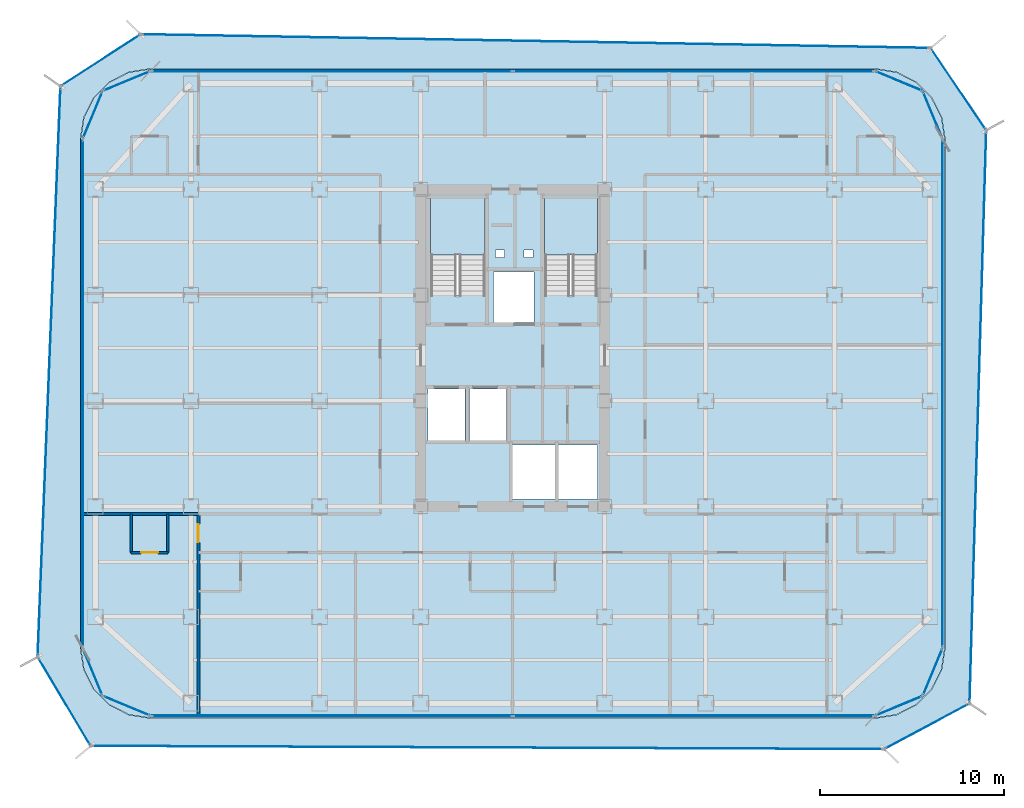
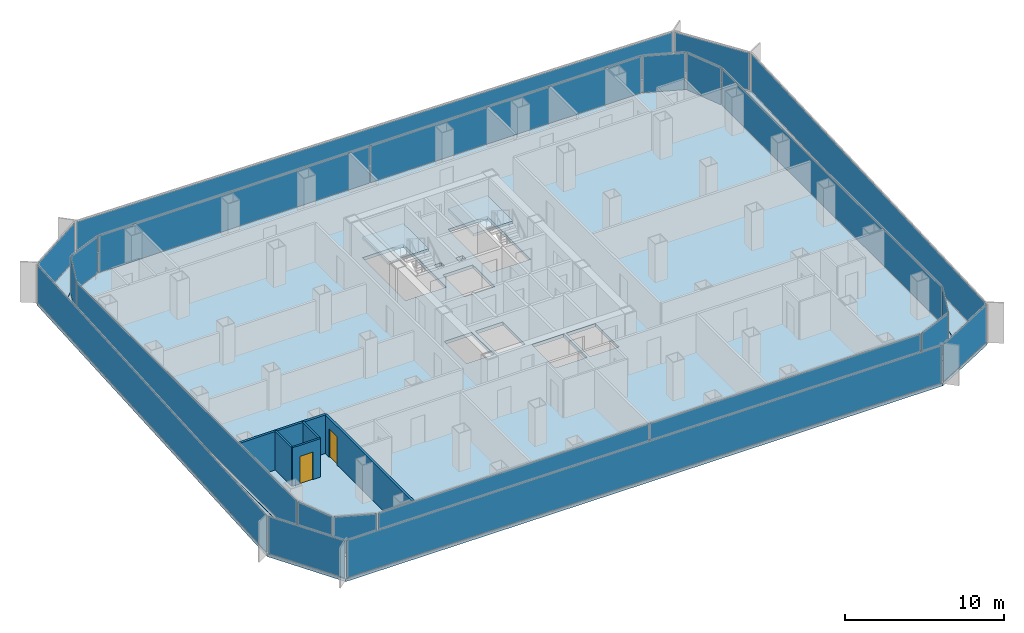
# One storey, part 15 of 21: 22 plates, 5 walls, 4 slabs, 2 doors, 2 openings, 22 elements without a shape of their own.
"""IFC4 building model written with IfcOpenShell, lengths in metres."""

from ifc_helpers import new_model, si_unit, direction, frame, frame_2d, origin, origin_2d, place, context, subcontext, project, spatial, polyline, rectangle, outline, extrude, source, transform, mapped, material, layer, layer_set, type_object, element, fill, aggregate, save


model = new_model("IFC4")

# Units and contexts
model_context = context("Model", 3, precision=1e-05, world=origin(), true_north=direction((0.0, 1.0)))
body_context = subcontext(model_context, "Body", "Model", "MODEL_VIEW")
ifc_project = project(units=[si_unit("LENGTHUNIT", "METRE"), si_unit("AREAUNIT", "SQUARE_METRE"), si_unit("VOLUMEUNIT", "CUBIC_METRE"), si_unit("PLANEANGLEUNIT", "RADIAN"), si_unit("MASSUNIT", "GRAM", prefix="KILO")], contexts=[model_context])

# Site, building, storey
site_placement = place(None, origin())
site = spatial("IfcSite", under=ifc_project, at=site_placement, CompositionType="ELEMENT")
building_placement = place(site_placement, origin())
building = spatial("IfcBuilding", under=site, at=building_placement, Name="Kolveth Station Tower", CompositionType="ELEMENT")
storey_placement = place(building_placement, frame((0.0, 0.0, 108.699951171875)))
storey = spatial("IfcBuildingStorey", under=building, at=storey_placement, Name="L29", CompositionType="ELEMENT", Elevation=108.699951171875)

# Slab
ifc_material_1 = material(Name="Concrete C40/50", Category="concrete")
ifc_layer_1 = layer(ifc_material_1, 0.25)
ifc_layer_set_1 = layer_set([ifc_layer_1], Name="Concrete C40/50")
slab_type_1 = type_object("IfcSlabType", Name="Slab_SF-250", PredefinedType="FLOOR", material=ifc_layer_set_1)
slab_1_placement = place(storey_placement, frame((0.0, 0.0, -0.25)))
element("IfcSlab", 1, at=slab_1_placement, inside=storey, type_object=slab_type_1, Name="L29 Tower Structural Floor Slab", PredefinedType="FLOOR", context=body_context, shape_type="SweptSolid", body=[
    extrude(outline(polyline([(43.199951171875, 0.0), (44.374267578125, 0.18603515625), (45.43359375, 0.7255859375), (46.2744140625, 1.56640625), (46.81396484375, 2.625732421875), (47.0, 3.800048828125), (47.0, 31.5), (46.81396484375, 32.67431640625), (46.2744140625, 33.733642578125), (45.43359375, 34.57421875), (44.374267578125, 35.114013671875), (43.199951171875, 35.300048828125), (3.800048828125, 35.300048828125), (2.625732421875, 35.114013671875), (1.56640625, 34.57421875), (0.7255859375, 33.733642578125), (0.18603515625, 32.67431640625), (0.0, 31.5), (0.0, 3.800048828125), (0.18603515625, 2.625732421875), (0.7255859375, 1.56640625), (1.56640625, 0.7255859375), (2.625732421875, 0.18603515625), (3.800048828125, 0.0), (43.199951171875, 0.0)]), holes=[polyline([(19.0400390625, 22.985107421875), (22.0, 22.985107421875), (22.0, 28.39990234375), (19.0400390625, 28.39990234375), (19.0400390625, 22.985107421875)]), polyline([(25.239990234375, 22.985107421875), (28.10009765625, 22.985107421875), (28.10009765625, 28.39990234375), (25.239990234375, 28.39990234375), (25.239990234375, 22.985107421875)]), polyline([(18.89990234375, 15.10009765625), (20.89990234375, 15.10009765625), (20.89990234375, 17.89990234375), (18.89990234375, 17.89990234375), (18.89990234375, 15.10009765625)]), polyline([(21.14990234375, 15.10009765625), (23.14990234375, 15.10009765625), (23.14990234375, 17.89990234375), (21.14990234375, 17.89990234375), (21.14990234375, 15.10009765625)]), polyline([(22.449951171875, 21.5), (24.64990234375, 21.5), (24.64990234375, 24.25), (22.449951171875, 24.25), (22.449951171875, 21.5)]), polyline([(23.5, 11.89990234375), (25.800048828125, 11.89990234375), (25.800048828125, 14.85009765625), (23.5, 14.85009765625), (23.5, 11.89990234375)]), polyline([(26.0, 11.89990234375), (28.10009765625, 11.89990234375), (28.10009765625, 14.85009765625), (26.0, 14.85009765625), (26.0, 11.89990234375)]), polyline([(22.550048828125, 25.050048828125), (23.050048828125, 25.050048828125), (23.050048828125, 25.449951171875), (22.550048828125, 25.449951171875), (22.550048828125, 25.050048828125)]), polyline([(24.10009765625, 25.050048828125), (24.60009765625, 25.050048828125), (24.60009765625, 25.449951171875), (24.10009765625, 25.449951171875), (24.10009765625, 25.050048828125)])]), origin(), (0.0, 0.0, 1.0), 0.25),
])

# Stair, slab
stair_type_1 = type_object("IfcStairType", Name="Stair_ST2", PredefinedType="HALF_TURN_STAIR", material=ifc_material_1)
stair_1_placement = place(storey_placement, origin())
stair_1 = element("IfcStair", 2, at=stair_1_placement, inside=storey, type_object=stair_type_1, Name="L29 Tower Exit Stair ST2", PredefinedType="HALF_TURN_STAIR")
ifc_layer_2 = layer(ifc_material_1, 0.18994140625)
ifc_layer_set_2 = layer_set([ifc_layer_2], Name="Concrete C40/50")
slab_type_2 = type_object("IfcSlabType", Name="Slab_SL-190", PredefinedType="LANDING", material=ifc_layer_set_2)
slab_2_placement = place(storey_placement, frame((0.0, 0.0, 1.400146484375)))
slab_2 = element("IfcSlab", 3, at=slab_2_placement, type_object=slab_type_2, Name="ST2 landing 1", PredefinedType="LANDING", context=body_context, shape_type="SweptSolid", body=[
    extrude(outline(polyline([(28.10009765625, 25.18994140625), (28.10009765625, 28.39990234375), (25.239990234375, 28.39990234375), (25.239990234375, 25.18994140625), (28.10009765625, 25.18994140625)])), origin(), (0.0, 0.0, 1.0), 0.199951171875),
])
aggregate(stair_1, [slab_2])

stair_type_2 = type_object("IfcStairType", Name="Stair_ST1", PredefinedType="HALF_TURN_STAIR", material=ifc_material_1)
stair_2_placement = place(storey_placement, origin())
stair_2 = element("IfcStair", 4, at=stair_2_placement, inside=storey, type_object=stair_type_2, Name="L29 Tower Exit Stair ST1", PredefinedType="HALF_TURN_STAIR")
ifc_layer_3 = layer(ifc_material_1, 0.205078125)
ifc_layer_set_3 = layer_set([ifc_layer_3], Name="Concrete C40/50")
slab_type_3 = type_object("IfcSlabType", Name="Slab_SL-205", PredefinedType="LANDING", material=ifc_layer_set_3)
slab_3_placement = place(storey_placement, frame((0.0, 0.0, 1.400146484375)))
slab_3 = element("IfcSlab", 5, at=slab_3_placement, type_object=slab_type_3, Name="ST1 landing 1", PredefinedType="LANDING", context=body_context, shape_type="SweptSolid", body=[
    extrude(outline(polyline([(22.0, 25.18994140625), (22.0, 28.39990234375), (19.0400390625, 28.39990234375), (19.0400390625, 25.18994140625), (22.0, 25.18994140625)])), origin(), (0.0, 0.0, 1.0), 0.199951171875),
])
aggregate(stair_2, [slab_3])

# Slab
ifc_layer_4 = layer(ifc_material_1, 0.2099609375)
ifc_layer_set_4 = layer_set([ifc_layer_4], Name="Concrete C40/50")
slab_type_4 = type_object("IfcSlabType", Name="Slab_ST-210", PredefinedType="FLOOR", material=ifc_layer_set_4)
slab_4_placement = place(storey_placement, frame((0.0, 0.0, -0.2099609375)))
element("IfcSlab", 6, at=slab_4_placement, inside=storey, type_object=slab_type_4, Name="L29 Double-Skin Cavity Structural Ledger Ring", PredefinedType="FLOOR", context=body_context, shape_type="SweptSolid", body=[
    extrude(outline(polyline([(0.550537109375, -1.518310546875), (-2.335205078125, 3.326171875), (-1.0908203125, 34.36181640625), (3.269287109375, 37.183837890625), (46.23291015625, 36.43896484375), (49.2578125, 31.964111328125), (48.348388671875, 0.789794921875), (43.70751953125, -1.695556640625), (0.550537109375, -1.518310546875)]), holes=[polyline([(43.202392578125, -0.014892578125), (44.376708984375, 0.171142578125), (44.381103515625, 0.172607421875), (45.4404296875, 0.71240234375), (45.444091796875, 0.715087890625), (46.284912109375, 1.555908203125), (46.28759765625, 1.5595703125), (46.827392578125, 2.618896484375), (46.828857421875, 2.623291015625), (47.014892578125, 3.797607421875), (47.014892578125, 3.800048828125), (47.014892578125, 31.5), (47.014892578125, 31.502197265625), (46.828857421875, 32.676513671875), (46.827392578125, 32.68115234375), (46.28759765625, 33.740478515625), (46.284912109375, 33.744140625), (45.444091796875, 34.5849609375), (45.4404296875, 34.587646484375), (44.381103515625, 35.12744140625), (44.376708984375, 35.12890625), (43.202392578125, 35.314697265625), (43.199951171875, 35.31494140625), (3.800048828125, 35.31494140625), (3.797607421875, 35.314697265625), (2.623291015625, 35.12890625), (2.618896484375, 35.12744140625), (1.5595703125, 34.587646484375), (1.555908203125, 34.5849609375), (0.715087890625, 33.744140625), (0.71240234375, 33.740478515625), (0.172607421875, 32.68115234375), (0.171142578125, 32.676513671875), (-0.014892578125, 31.502197265625), (-0.014892578125, 31.5), (-0.014892578125, 3.800048828125), (-0.014892578125, 3.797607421875), (0.171142578125, 2.623291015625), (0.172607421875, 2.618896484375), (0.71240234375, 1.5595703125), (0.715087890625, 1.555908203125), (1.555908203125, 0.715087890625), (1.5595703125, 0.71240234375), (2.618896484375, 0.172607421875), (2.623291015625, 0.171142578125), (3.797607421875, -0.014892578125), (3.800048828125, -0.014892578125), (43.199951171875, -0.014892578125), (43.202392578125, -0.014892578125)])]), origin(), (0.0, 0.0, 1.0), 0.2099609375),
])

# Curtain wall, plate
ifc_material_2 = material(Name="Aluminium 6063-T6 and low-E dark glass", Category="aluminium")
ifc_layer_5 = layer(ifc_material_2, 0.18994140625)
ifc_layer_set_5 = layer_set([ifc_layer_5], Name="Aluminium 6063-T6 and low-E dark glass")
curtain_wall_type_1 = type_object("IfcCurtainWallType", Name="CurtainWall_CW-Z2", PredefinedType="NOTDEFINED", material=ifc_layer_set_5)
curtain_wall_1_placement = place(storey_placement, origin())
curtain_wall_1 = element("IfcCurtainWall", 7, at=curtain_wall_1_placement, inside=storey, type_object=curtain_wall_type_1, Name="L29 Inner Thermal Curtain Wall 1", PredefinedType="NOTDEFINED")
ifc_material_3 = material(Name="Architectural low-E dark glass", Category="glass")
ifc_layer_6 = layer(ifc_material_3, 0.0380859375)
ifc_layer_set_6 = layer_set([ifc_layer_6], Name="Architectural low-E dark glass")
plate_type_1 = type_object("IfcPlateType", Name="Panel_GL2", PredefinedType="CURTAIN_PANEL", material=ifc_layer_set_6)
shared_shape_1 = source(origin(), body_context, "Body", "SweptSolid", [
    extrude(rectangle(XDim=2.670654296875, YDim=0.0380859375, at=origin_2d()), origin(), (0.0, 0.0, 1.0), 2.803955078125),
])
plate_1_placement = place(storey_placement, frame((44.501220703125, 0.658935546875, 0.0732421875), z_axis=(0.0, 0.0, 1.0), x_axis=(0.923887883787, 0.38266326998, 0.0)))
plate_1 = element("IfcPlate", 8, at=plate_1_placement, type_object=plate_type_1, Name="CW-Z2 panel 1.1", PredefinedType="CURTAIN_PANEL", context=body_context, shape_type="MappedRepresentation", body=[
    mapped(shared_shape_1, transform((0.0, 0.0, 0.0), x_axis=(1.0, 0.0, 0.0), y_axis=(0.0, 1.0, 0.0), z_axis=(0.0, 0.0, 1.0), scale=1.0)),
])
aggregate(curtain_wall_1, [plate_1])

curtain_wall_2_placement = place(storey_placement, origin())
curtain_wall_2 = element("IfcCurtainWall", 9, at=curtain_wall_2_placement, inside=storey, type_object=curtain_wall_type_1, Name="L29 Inner Thermal Curtain Wall 2", PredefinedType="NOTDEFINED")
plate_2_placement = place(storey_placement, frame((46.341064453125, 2.498779296875, 0.0732421875), z_axis=(0.0, 0.0, 1.0), x_axis=(0.38266326998, 0.923887883787, 0.0)))
plate_2 = element("IfcPlate", 10, at=plate_2_placement, type_object=plate_type_1, Name="CW-Z2 panel 1.1", PredefinedType="CURTAIN_PANEL", context=body_context, shape_type="MappedRepresentation", body=[
    mapped(shared_shape_1, transform((0.0, 0.0, 0.0), x_axis=(1.0, 0.0, 0.0), y_axis=(0.0, 1.0, 0.0), z_axis=(0.0, 0.0, 1.0), scale=1.0)),
])
aggregate(curtain_wall_2, [plate_2])

curtain_wall_3_placement = place(storey_placement, origin())
curtain_wall_3 = element("IfcCurtainWall", 11, at=curtain_wall_3_placement, inside=storey, type_object=curtain_wall_type_1, Name="L29 Inner Thermal Curtain Wall 4", PredefinedType="NOTDEFINED")
plate_3_placement = place(storey_placement, frame((46.341064453125, 32.801025390625, 0.0732421875), z_axis=(0.0, 0.0, 1.0), x_axis=(-0.38266326998, 0.923887883787, 0.0)))
plate_3 = element("IfcPlate", 12, at=plate_3_placement, type_object=plate_type_1, Name="CW-Z2 panel 1.1", PredefinedType="CURTAIN_PANEL", context=body_context, shape_type="MappedRepresentation", body=[
    mapped(shared_shape_1, transform((0.0, 0.0, 0.0), x_axis=(1.0, 0.0, 0.0), y_axis=(0.0, 1.0, 0.0), z_axis=(0.0, 0.0, 1.0), scale=1.0)),
])
aggregate(curtain_wall_3, [plate_3])

curtain_wall_4_placement = place(storey_placement, origin())
curtain_wall_4 = element("IfcCurtainWall", 13, at=curtain_wall_4_placement, inside=storey, type_object=curtain_wall_type_1, Name="L29 Inner Thermal Curtain Wall 5", PredefinedType="NOTDEFINED")
plate_4_placement = place(storey_placement, frame((44.501220703125, 34.64111328125, 0.0732421875), z_axis=(0.0, 0.0, 1.0), x_axis=(-0.923887883787, 0.38266326998, 0.0)))
plate_4 = element("IfcPlate", 14, at=plate_4_placement, type_object=plate_type_1, Name="CW-Z2 panel 1.1", PredefinedType="CURTAIN_PANEL", context=body_context, shape_type="MappedRepresentation", body=[
    mapped(shared_shape_1, transform((0.0, 0.0, 0.0), x_axis=(1.0, 0.0, 0.0), y_axis=(0.0, 1.0, 0.0), z_axis=(0.0, 0.0, 1.0), scale=1.0)),
])
aggregate(curtain_wall_4, [plate_4])

curtain_wall_5_placement = place(storey_placement, origin())
curtain_wall_5 = element("IfcCurtainWall", 15, at=curtain_wall_5_placement, inside=storey, type_object=curtain_wall_type_1, Name="L29 Inner Thermal Curtain Wall 7", PredefinedType="NOTDEFINED")
plate_5_placement = place(storey_placement, frame((2.498779296875, 34.64111328125, 0.0732421875), z_axis=(0.0, 0.0, 1.0), x_axis=(-0.923887883787, -0.38266326998, 0.0)))
plate_5 = element("IfcPlate", 16, at=plate_5_placement, type_object=plate_type_1, Name="CW-Z2 panel 1.1", PredefinedType="CURTAIN_PANEL", context=body_context, shape_type="MappedRepresentation", body=[
    mapped(shared_shape_1, transform((0.0, 0.0, 0.0), x_axis=(1.0, 0.0, 0.0), y_axis=(0.0, 1.0, 0.0), z_axis=(0.0, 0.0, 1.0), scale=1.0)),
])
aggregate(curtain_wall_5, [plate_5])

curtain_wall_6_placement = place(storey_placement, origin())
curtain_wall_6 = element("IfcCurtainWall", 17, at=curtain_wall_6_placement, inside=storey, type_object=curtain_wall_type_1, Name="L29 Inner Thermal Curtain Wall 8", PredefinedType="NOTDEFINED")
plate_6_placement = place(storey_placement, frame((0.658935546875, 32.801025390625, 0.0732421875), z_axis=(0.0, 0.0, 1.0), x_axis=(-0.38266326998, -0.923887883787, 0.0)))
plate_6 = element("IfcPlate", 18, at=plate_6_placement, type_object=plate_type_1, Name="CW-Z2 panel 1.1", PredefinedType="CURTAIN_PANEL", context=body_context, shape_type="MappedRepresentation", body=[
    mapped(shared_shape_1, transform((0.0, 0.0, 0.0), x_axis=(1.0, 0.0, 0.0), y_axis=(0.0, 1.0, 0.0), z_axis=(0.0, 0.0, 1.0), scale=1.0)),
])
aggregate(curtain_wall_6, [plate_6])

curtain_wall_7_placement = place(storey_placement, origin())
curtain_wall_7 = element("IfcCurtainWall", 19, at=curtain_wall_7_placement, inside=storey, type_object=curtain_wall_type_1, Name="L29 Inner Thermal Curtain Wall 10", PredefinedType="NOTDEFINED")
plate_7_placement = place(storey_placement, frame((0.658935546875, 2.498779296875, 0.0732421875), z_axis=(0.0, 0.0, 1.0), x_axis=(0.38266326998, -0.923887883787, 0.0)))
plate_7 = element("IfcPlate", 20, at=plate_7_placement, type_object=plate_type_1, Name="CW-Z2 panel 1.1", PredefinedType="CURTAIN_PANEL", context=body_context, shape_type="MappedRepresentation", body=[
    mapped(shared_shape_1, transform((0.0, 0.0, 0.0), x_axis=(1.0, 0.0, 0.0), y_axis=(0.0, 1.0, 0.0), z_axis=(0.0, 0.0, 1.0), scale=1.0)),
])
aggregate(curtain_wall_7, [plate_7])

curtain_wall_8_placement = place(storey_placement, origin())
curtain_wall_8 = element("IfcCurtainWall", 21, at=curtain_wall_8_placement, inside=storey, type_object=curtain_wall_type_1, Name="L29 Inner Thermal Curtain Wall 11", PredefinedType="NOTDEFINED")
plate_8_placement = place(storey_placement, frame((2.498779296875, 0.658935546875, 0.0732421875), z_axis=(0.0, 0.0, 1.0), x_axis=(0.923887883787, -0.38266326998, 0.0)))
plate_8 = element("IfcPlate", 22, at=plate_8_placement, type_object=plate_type_1, Name="CW-Z2 panel 1.1", PredefinedType="CURTAIN_PANEL", context=body_context, shape_type="MappedRepresentation", body=[
    mapped(shared_shape_1, transform((0.0, 0.0, 0.0), x_axis=(1.0, 0.0, 0.0), y_axis=(0.0, 1.0, 0.0), z_axis=(0.0, 0.0, 1.0), scale=1.0)),
])
aggregate(curtain_wall_8, [plate_8])

curtain_wall_9_placement = place(storey_placement, origin())
curtain_wall_9 = element("IfcCurtainWall", 23, at=curtain_wall_9_placement, inside=storey, type_object=curtain_wall_type_1, Name="L29 Inner Thermal Curtain Wall 3", PredefinedType="NOTDEFINED")
shared_shape_2 = source(origin(), body_context, "Body", "SweptSolid", [
    extrude(rectangle(XDim=27.553955078125, YDim=0.0380859375, at=origin_2d()), origin(), (0.0, 0.0, 1.0), 2.803955078125),
])
plate_9_placement = place(storey_placement, frame((46.8798828125, 17.64990234375, 0.0732421875), z_axis=(0.0, 0.0, 1.0), x_axis=(0.0, 1.0, 0.0)))
plate_9 = element("IfcPlate", 24, at=plate_9_placement, type_object=plate_type_1, Name="CW-Z2 panel 1.1", PredefinedType="CURTAIN_PANEL", context=body_context, shape_type="MappedRepresentation", body=[
    mapped(shared_shape_2, transform((0.0, 0.0, 0.0), x_axis=(1.0, 0.0, 0.0), y_axis=(0.0, 1.0, 0.0), z_axis=(0.0, 0.0, 1.0), scale=1.0)),
])
aggregate(curtain_wall_9, [plate_9])

curtain_wall_10_placement = place(storey_placement, origin())
curtain_wall_10 = element("IfcCurtainWall", 25, at=curtain_wall_10_placement, inside=storey, type_object=curtain_wall_type_1, Name="L29 Inner Thermal Curtain Wall 9", PredefinedType="NOTDEFINED")
plate_10_placement = place(storey_placement, frame((0.1201171875, 17.64990234375, 0.0732421875), z_axis=(0.0, 0.0, 1.0), x_axis=(0.0, -1.0, 0.0)))
plate_10 = element("IfcPlate", 26, at=plate_10_placement, type_object=plate_type_1, Name="CW-Z2 panel 1.1", PredefinedType="CURTAIN_PANEL", context=body_context, shape_type="MappedRepresentation", body=[
    mapped(shared_shape_2, transform((0.0, 0.0, 0.0), x_axis=(1.0, 0.0, 0.0), y_axis=(0.0, 1.0, 0.0), z_axis=(0.0, 0.0, 1.0), scale=1.0)),
])
aggregate(curtain_wall_10, [plate_10])

# Curtain wall, plates
curtain_wall_11_placement = place(storey_placement, origin())
curtain_wall_11 = element("IfcCurtainWall", 27, at=curtain_wall_11_placement, inside=storey, type_object=curtain_wall_type_1, Name="L29 Inner Thermal Curtain Wall 6", PredefinedType="NOTDEFINED")
shared_shape_3 = source(origin(), body_context, "Body", "SweptSolid", [
    extrude(rectangle(XDim=19.593994140625, YDim=0.0380859375, at=origin_2d()), origin(), (0.0, 0.0, 1.0), 2.803955078125),
])
plate_11_placement = place(storey_placement, frame((33.330078125, 35.179931640625, 0.0732421875), z_axis=(0.0, 0.0, 1.0), x_axis=(-1.0, 0.0, 0.0)))
plate_11 = element("IfcPlate", 28, at=plate_11_placement, type_object=plate_type_1, Name="CW-Z2 panel 1.1", PredefinedType="CURTAIN_PANEL", context=body_context, shape_type="MappedRepresentation", body=[
    mapped(shared_shape_3, transform((0.0, 0.0, 0.0), x_axis=(1.0, 0.0, 0.0), y_axis=(0.0, 1.0, 0.0), z_axis=(0.0, 0.0, 1.0), scale=1.0)),
])
plate_12_placement = place(storey_placement, frame((13.669921875, 35.179931640625, 0.0732421875), z_axis=(0.0, 0.0, 1.0), x_axis=(-1.0, 0.0, 0.0)))
plate_12 = element("IfcPlate", 29, at=plate_12_placement, type_object=plate_type_1, Name="CW-Z2 panel 2.1", PredefinedType="CURTAIN_PANEL", context=body_context, shape_type="MappedRepresentation", body=[
    mapped(shared_shape_3, transform((0.0, 0.0, 0.0), x_axis=(1.0, 0.0, 0.0), y_axis=(0.0, 1.0, 0.0), z_axis=(0.0, 0.0, 1.0), scale=1.0)),
])
aggregate(curtain_wall_11, [plate_11, plate_12])

curtain_wall_12_placement = place(storey_placement, origin())
curtain_wall_12 = element("IfcCurtainWall", 30, at=curtain_wall_12_placement, inside=storey, type_object=curtain_wall_type_1, Name="L29 Inner Thermal Curtain Wall 12", PredefinedType="NOTDEFINED")
plate_13_placement = place(storey_placement, frame((13.669921875, 0.1201171875, 0.0732421875), z_axis=(0.0, 0.0, 1.0), x_axis=(1.0, 0.0, 0.0)))
plate_13 = element("IfcPlate", 31, at=plate_13_placement, type_object=plate_type_1, Name="CW-Z2 panel 1.1", PredefinedType="CURTAIN_PANEL", context=body_context, shape_type="MappedRepresentation", body=[
    mapped(shared_shape_3, transform((0.0, 0.0, 0.0), x_axis=(1.0, 0.0, 0.0), y_axis=(0.0, 1.0, 0.0), z_axis=(0.0, 0.0, 1.0), scale=1.0)),
])
plate_14_placement = place(storey_placement, frame((33.330078125, 0.1201171875, 0.0732421875), z_axis=(0.0, 0.0, 1.0), x_axis=(1.0, 0.0, 0.0)))
plate_14 = element("IfcPlate", 32, at=plate_14_placement, type_object=plate_type_1, Name="CW-Z2 panel 2.1", PredefinedType="CURTAIN_PANEL", context=body_context, shape_type="MappedRepresentation", body=[
    mapped(shared_shape_3, transform((0.0, 0.0, 0.0), x_axis=(1.0, 0.0, 0.0), y_axis=(0.0, 1.0, 0.0), z_axis=(0.0, 0.0, 1.0), scale=1.0)),
])
aggregate(curtain_wall_12, [plate_13, plate_14])

# Curtain wall, plate
ifc_material_4 = material(Name="Black anodized aluminium 6063-T6 and dark solar glass", Category="aluminium")
ifc_layer_7 = layer(ifc_material_4, 0.159912109375)
ifc_layer_set_7 = layer_set([ifc_layer_7], Name="Black anodized aluminium 6063-T6 and dark solar glass")
curtain_wall_type_2 = type_object("IfcCurtainWallType", Name="OUTER SKIN CW-OS", PredefinedType="NOTDEFINED", material=ifc_layer_set_7)
curtain_wall_13_placement = place(storey_placement, origin())
curtain_wall_13 = element("IfcCurtainWall", 33, at=curtain_wall_13_placement, inside=storey, type_object=curtain_wall_type_2, Name="L29 Outer Ventilated Skin Curtain Wall 1", PredefinedType="NOTDEFINED")
ifc_layer_8 = layer(ifc_material_3, 0.028076171875)
ifc_layer_set_8 = layer_set([ifc_layer_8], Name="Architectural low-E dark glass")
plate_type_2 = type_object("IfcPlateType", Name="Panel_GL-OS", PredefinedType="CURTAIN_PANEL", material=ifc_layer_set_8)
shared_shape_4 = source(origin(), body_context, "Body", "SweptSolid", [
    extrude(rectangle(XDim=5.0986328125, YDim=0.028076171875, at=origin_2d()), origin(), (0.0, 0.0, 1.0), 2.843994140625),
])
plate_15_placement = place(storey_placement, frame((46.02783203125, -0.452880859375, 0.0732421875), z_axis=(0.0, 0.0, 1.0), x_axis=(0.881535028581, 0.472118622155, 0.0)))
plate_15 = element("IfcPlate", 34, at=plate_15_placement, type_object=plate_type_2, Name="CW-OS panel 1.1", PredefinedType="CURTAIN_PANEL", context=body_context, shape_type="MappedRepresentation", body=[
    mapped(shared_shape_4, transform((0.0, 0.0, 0.0), x_axis=(1.0, 0.0, 0.0), y_axis=(0.0, 1.0, 0.0), z_axis=(0.0, 0.0, 1.0), scale=1.0)),
])
aggregate(curtain_wall_13, [plate_15])

curtain_wall_14_placement = place(storey_placement, origin())
curtain_wall_14 = element("IfcCurtainWall", 35, at=curtain_wall_14_placement, inside=storey, type_object=curtain_wall_type_2, Name="L29 Outer Ventilated Skin Curtain Wall 2", PredefinedType="NOTDEFINED")
shared_shape_5 = source(origin(), body_context, "Body", "SweptSolid", [
    extrude(rectangle(XDim=31.021484375, YDim=0.028076171875, at=origin_2d()), origin(), (0.0, 0.0, 1.0), 2.843994140625),
])
plate_16_placement = place(storey_placement, frame((48.802978515625, 16.376953125, 0.0732421875), z_axis=(0.0, 0.0, 1.0), x_axis=(0.029159154238, 0.999574781457, 0.0)))
plate_16 = element("IfcPlate", 36, at=plate_16_placement, type_object=plate_type_2, Name="CW-OS panel 1.1", PredefinedType="CURTAIN_PANEL", context=body_context, shape_type="MappedRepresentation", body=[
    mapped(shared_shape_5, transform((0.0, 0.0, 0.0), x_axis=(1.0, 0.0, 0.0), y_axis=(0.0, 1.0, 0.0), z_axis=(0.0, 0.0, 1.0), scale=1.0)),
])
aggregate(curtain_wall_14, [plate_16])

curtain_wall_15_placement = place(storey_placement, origin())
curtain_wall_15 = element("IfcCurtainWall", 37, at=curtain_wall_15_placement, inside=storey, type_object=curtain_wall_type_2, Name="L29 Outer Ventilated Skin Curtain Wall 3", PredefinedType="NOTDEFINED")
shared_shape_6 = source(origin(), body_context, "Body", "SweptSolid", [
    extrude(rectangle(XDim=5.2353515625, YDim=0.028076171875, at=origin_2d()), origin(), (0.0, 0.0, 1.0), 2.843994140625),
])
plate_17_placement = place(storey_placement, frame((47.745361328125, 34.201416015625, 0.0732421875), z_axis=(0.0, 0.0, 1.0), x_axis=(-0.560033635583, 0.828469870916, 0.0)))
plate_17 = element("IfcPlate", 38, at=plate_17_placement, type_object=plate_type_2, Name="CW-OS panel 1.1", PredefinedType="CURTAIN_PANEL", context=body_context, shape_type="MappedRepresentation", body=[
    mapped(shared_shape_6, transform((0.0, 0.0, 0.0), x_axis=(1.0, 0.0, 0.0), y_axis=(0.0, 1.0, 0.0), z_axis=(0.0, 0.0, 1.0), scale=1.0)),
])
aggregate(curtain_wall_15, [plate_17])

curtain_wall_16_placement = place(storey_placement, origin())
curtain_wall_16 = element("IfcCurtainWall", 39, at=curtain_wall_16_placement, inside=storey, type_object=curtain_wall_type_2, Name="L29 Outer Ventilated Skin Curtain Wall 4", PredefinedType="NOTDEFINED")
shared_shape_7 = source(origin(), body_context, "Body", "SweptSolid", [
    extrude(rectangle(XDim=42.803955078125, YDim=0.028076171875, at=origin_2d()), origin(), (0.0, 0.0, 1.0), 2.843994140625),
])
plate_18_placement = place(storey_placement, frame((24.751220703125, 36.811279296875, 0.0732421875), z_axis=(0.0, 0.0, 1.0), x_axis=(-0.999849690186, 0.017337734418, 0.0)))
plate_18 = element("IfcPlate", 40, at=plate_18_placement, type_object=plate_type_2, Name="CW-OS panel 1.1", PredefinedType="CURTAIN_PANEL", context=body_context, shape_type="MappedRepresentation", body=[
    mapped(shared_shape_7, transform((0.0, 0.0, 0.0), x_axis=(1.0, 0.0, 0.0), y_axis=(0.0, 1.0, 0.0), z_axis=(0.0, 0.0, 1.0), scale=1.0)),
])
aggregate(curtain_wall_16, [plate_18])

curtain_wall_17_placement = place(storey_placement, origin())
curtain_wall_17 = element("IfcCurtainWall", 41, at=curtain_wall_17_placement, inside=storey, type_object=curtain_wall_type_2, Name="L29 Outer Ventilated Skin Curtain Wall 5", PredefinedType="NOTDEFINED")
shared_shape_8 = source(origin(), body_context, "Body", "SweptSolid", [
    extrude(rectangle(XDim=5.02783203125, YDim=0.028076171875, at=origin_2d()), origin(), (0.0, 0.0, 1.0), 2.843994140625),
])
plate_19_placement = place(storey_placement, frame((1.08935546875, 35.772705078125, 0.0732421875), z_axis=(0.0, 0.0, 1.0), x_axis=(-0.839491631622, -0.543372616569, 0.0)))
plate_19 = element("IfcPlate", 42, at=plate_19_placement, type_object=plate_type_2, Name="CW-OS panel 1.1", PredefinedType="CURTAIN_PANEL", context=body_context, shape_type="MappedRepresentation", body=[
    mapped(shared_shape_8, transform((0.0, 0.0, 0.0), x_axis=(1.0, 0.0, 0.0), y_axis=(0.0, 1.0, 0.0), z_axis=(0.0, 0.0, 1.0), scale=1.0)),
])
aggregate(curtain_wall_17, [plate_19])

curtain_wall_18_placement = place(storey_placement, origin())
curtain_wall_18 = element("IfcCurtainWall", 43, at=curtain_wall_18_placement, inside=storey, type_object=curtain_wall_type_2, Name="L29 Outer Ventilated Skin Curtain Wall 6", PredefinedType="NOTDEFINED")
shared_shape_9 = source(origin(), body_context, "Body", "SweptSolid", [
    extrude(rectangle(XDim=30.894287109375, YDim=0.028076171875, at=origin_2d()), origin(), (0.0, 0.0, 1.0), 2.843994140625),
])
plate_20_placement = place(storey_placement, frame((-1.713134765625, 18.843994140625, 0.0732421875), z_axis=(0.0, 0.0, 1.0), x_axis=(-0.040067041242, -0.999196993693, 0.0)))
plate_20 = element("IfcPlate", 44, at=plate_20_placement, type_object=plate_type_2, Name="CW-OS panel 1.1", PredefinedType="CURTAIN_PANEL", context=body_context, shape_type="MappedRepresentation", body=[
    mapped(shared_shape_9, transform((0.0, 0.0, 0.0), x_axis=(1.0, 0.0, 0.0), y_axis=(0.0, 1.0, 0.0), z_axis=(0.0, 0.0, 1.0), scale=1.0)),
])
aggregate(curtain_wall_18, [plate_20])

curtain_wall_19_placement = place(storey_placement, origin())
curtain_wall_19 = element("IfcCurtainWall", 45, at=curtain_wall_19_placement, inside=storey, type_object=curtain_wall_type_2, Name="L29 Outer Ventilated Skin Curtain Wall 7", PredefinedType="NOTDEFINED")
shared_shape_10 = source(origin(), body_context, "Body", "SweptSolid", [
    extrude(rectangle(XDim=5.472900390625, YDim=0.028076171875, at=origin_2d()), origin(), (0.0, 0.0, 1.0), 2.843994140625),
])
plate_21_placement = place(storey_placement, frame((-0.892333984375, 0.90380859375, 0.0732421875), z_axis=(0.0, 0.0, 1.0), x_axis=(0.511773150032, -0.85912062186, 0.0)))
plate_21 = element("IfcPlate", 46, at=plate_21_placement, type_object=plate_type_2, Name="CW-OS panel 1.1", PredefinedType="CURTAIN_PANEL", context=body_context, shape_type="MappedRepresentation", body=[
    mapped(shared_shape_10, transform((0.0, 0.0, 0.0), x_axis=(1.0, 0.0, 0.0), y_axis=(0.0, 1.0, 0.0), z_axis=(0.0, 0.0, 1.0), scale=1.0)),
])
aggregate(curtain_wall_19, [plate_21])

curtain_wall_20_placement = place(storey_placement, origin())
curtain_wall_20 = element("IfcCurtainWall", 47, at=curtain_wall_20_placement, inside=storey, type_object=curtain_wall_type_2, Name="L29 Outer Ventilated Skin Curtain Wall 8", PredefinedType="NOTDEFINED")
shared_shape_11 = source(origin(), body_context, "Body", "SweptSolid", [
    extrude(rectangle(XDim=42.9912109375, YDim=0.028076171875, at=origin_2d()), origin(), (0.0, 0.0, 1.0), 2.843994140625),
])
plate_22_placement = place(storey_placement, frame((22.12890625, -1.60693359375, 0.0732421875), z_axis=(0.0, 0.0, 1.0), x_axis=(0.999991570662, -0.004105923193, 0.0)))
plate_22 = element("IfcPlate", 48, at=plate_22_placement, type_object=plate_type_2, Name="CW-OS panel 1.1", PredefinedType="CURTAIN_PANEL", context=body_context, shape_type="MappedRepresentation", body=[
    mapped(shared_shape_11, transform((0.0, 0.0, 0.0), x_axis=(1.0, 0.0, 0.0), y_axis=(0.0, 1.0, 0.0), z_axis=(0.0, 0.0, 1.0), scale=1.0)),
])
aggregate(curtain_wall_20, [plate_22])

# Walls
ifc_material_5 = material(Name="Moisture-resistant gypsum partition")
ifc_layer_9 = layer(ifc_material_5, 0.135009765625)
ifc_layer_set_9 = layer_set([ifc_layer_9], Name="Moisture-resistant gypsum partition")
wall_type_1 = type_object("IfcWallType", Name="Wall_IW-135", PredefinedType="PARTITIONING", material=ifc_layer_set_9)
for number, where, z_axis, x_axis, name in (
    (49, (2.75, 9.0, 0.0), (0.0, 0.0, 1.0), (0.0, 1.0, 0.0), "L29 Partition Wall WL-L29-WS1-BV1"),
    (50, (4.75, 9.0, 0.0), (0.0, 0.0, 1.0), (0.0, 1.0, 0.0), "L29 Partition Wall WL-L29-WS1-BV2"),
):
    element("IfcWall", number, at=place(storey_placement, frame(where, z_axis=z_axis, x_axis=x_axis)), inside=storey, type_object=wall_type_1, Name=name, PredefinedType="PARTITIONING", context=body_context, shape_type="SweptSolid", body=[
        extrude(rectangle(XDim=2.10009765625, YDim=0.135009765625, at=frame_2d((1.050048828125, 0.0))), origin(), (0.0, 0.0, 1.0), 2.949951171875),
    ])

# Wall, opening, door
wall_1_placement = place(storey_placement, frame((2.75, 9.0, 0.0), z_axis=(0.0, 0.0, 1.0), x_axis=(1.0, 0.0, 0.0)))
wall_1 = element("IfcWall", 51, at=wall_1_placement, inside=storey, type_object=wall_type_1, Name="L29 Partition Wall WL-L29-WS1-BH", PredefinedType="PARTITIONING", context=body_context, shape_type="SweptSolid", body=[
    extrude(rectangle(XDim=2.0, YDim=0.135009765625, at=frame_2d((1.0, 0.0))), origin(), (0.0, 0.0, 1.0), 2.949951171875),
])
opening_1_placement = place(wall_1_placement, frame((0.5400390625, 0.0, 0.0)))
opening_1 = element("IfcOpeningElement", 52, at=opening_1_placement, cuts=wall_1, Name="Opening ID2", PredefinedType="OPENING", context=body_context, shape_type="SweptSolid", body=[
    extrude(rectangle(XDim=0.919921875, YDim=2.10009765625, at=frame_2d((0.4599609375, 1.050048828125))), frame((0.0, 0.077392578125, 0.0), z_axis=(0.0, -1.0, 0.0), x_axis=(1.0, 0.0, 0.0)), (0.0, 0.0, 1.0), 0.155029296875),
])
ifc_material_6 = material(Name="Moisture-resistant hardwood leaf", Category="wood")
door_type_1 = type_object("IfcDoorType", Name="Door_ID2", OperationType="NOTDEFINED", PredefinedType="DOOR", material=ifc_material_6)
door_1_placement = place(opening_1_placement, origin())
door_1 = element("IfcDoor", 53, at=door_1_placement, inside=storey, type_object=door_type_1, Name="L29 Hotel Corner Suite WS1 En-Suite Door", OperationType="SINGLE_SWING_RIGHT", OverallHeight=2.10009765625, OverallWidth=0.919921875, PredefinedType="DOOR", context=body_context, shape_type="SweptSolid", body=[
    extrude(rectangle(XDim=0.919921875, YDim=2.10009765625, at=frame_2d((0.4599609375, 1.050048828125))), frame((0.0, 0.02490234375, 0.0), z_axis=(0.0, -1.0, 0.0), x_axis=(1.0, 0.0, 0.0)), (0.0, 0.0, 1.0), 0.050048828125),
])
fill(opening_1, door_1)

ifc_material_7 = material(Name="Acoustic double-stud gypsum partition")
ifc_layer_10 = layer(ifc_material_7, 0.1650390625)
ifc_layer_set_10 = layer_set([ifc_layer_10], Name="Acoustic double-stud gypsum partition")
wall_type_2 = type_object("IfcWallType", Name="Wall_IW-165", PredefinedType="PARTITIONING", material=ifc_layer_set_10)
wall_2_placement = place(storey_placement, frame((6.39990234375, 0.159912109375, 0.0), z_axis=(0.0, 0.0, 1.0), x_axis=(0.0, 1.0, 0.0)))
wall_2 = element("IfcWall", 54, at=wall_2_placement, inside=storey, type_object=wall_type_2, Name="L29 Partition Wall WL-L29-END-WS", PredefinedType="PARTITIONING", context=body_context, shape_type="SweptSolid", body=[
    extrude(rectangle(XDim=10.940185546875, YDim=0.1650390625, at=frame_2d((5.47021484375, 0.0))), origin(), (0.0, 0.0, 1.0), 2.949951171875),
])
opening_2_placement = place(wall_2_placement, frame((9.389892578125, 0.0, 0.0)))
opening_2 = element("IfcOpeningElement", 55, at=opening_2_placement, cuts=wall_2, Name="Opening FD3", PredefinedType="OPENING", context=body_context, shape_type="SweptSolid", body=[
    extrude(rectangle(XDim=1.0, YDim=2.14990234375, at=frame_2d((0.5, 1.074951171875))), frame((0.0, 0.092529296875, 0.0), z_axis=(0.0, -1.0, 0.0), x_axis=(1.0, 0.0, 0.0)), (0.0, 0.0, 1.0), 0.18505859375),
])
ifc_material_8 = material(Name="Fire-rated hardwood leaf and aluminium frame", Category="wood")
door_type_2 = type_object("IfcDoorType", Name="Door_FD3", OperationType="NOTDEFINED", PredefinedType="DOOR", material=ifc_material_8)
door_2_placement = place(opening_2_placement, origin())
door_2 = element("IfcDoor", 56, at=door_2_placement, inside=storey, type_object=door_type_2, Name="L29 Hotel Corner Suite WS1 Entrance Door", OperationType="SINGLE_SWING_LEFT", OverallHeight=2.14990234375, OverallWidth=1.0, PredefinedType="DOOR", context=body_context, shape_type="SweptSolid", body=[
    extrude(rectangle(XDim=1.0, YDim=2.14990234375, at=frame_2d((0.5, 1.074951171875))), frame((0.0, 0.02490234375, 0.0), z_axis=(0.0, -1.0, 0.0), x_axis=(1.0, 0.0, 0.0)), (0.0, 0.0, 1.0), 0.050048828125),
])
fill(opening_2, door_2)

# Wall
wall_3_placement = place(storey_placement, frame((0.159912109375, 11.10009765625, 0.0), z_axis=(0.0, 0.0, 1.0), x_axis=(1.0, 0.0, 0.0)))
element("IfcWall", 57, at=wall_3_placement, inside=storey, type_object=wall_type_2, Name="L29 Partition Wall WL-L29-WM1", PredefinedType="PARTITIONING", context=body_context, shape_type="SweptSolid", body=[
    extrude(rectangle(XDim=6.239990234375, YDim=0.1650390625, at=frame_2d((3.1201171875, 0.0))), origin(), (0.0, 0.0, 1.0), 2.949951171875),
])

save(model, "model.ifc")
